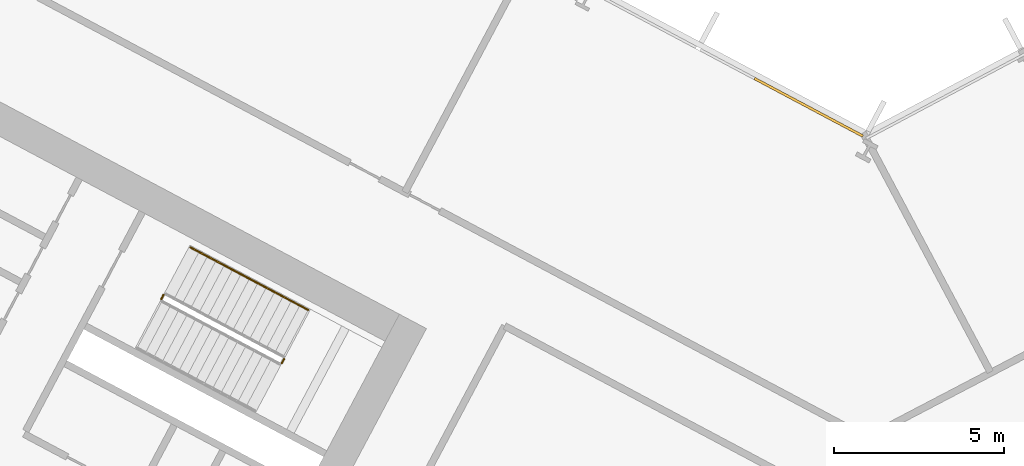
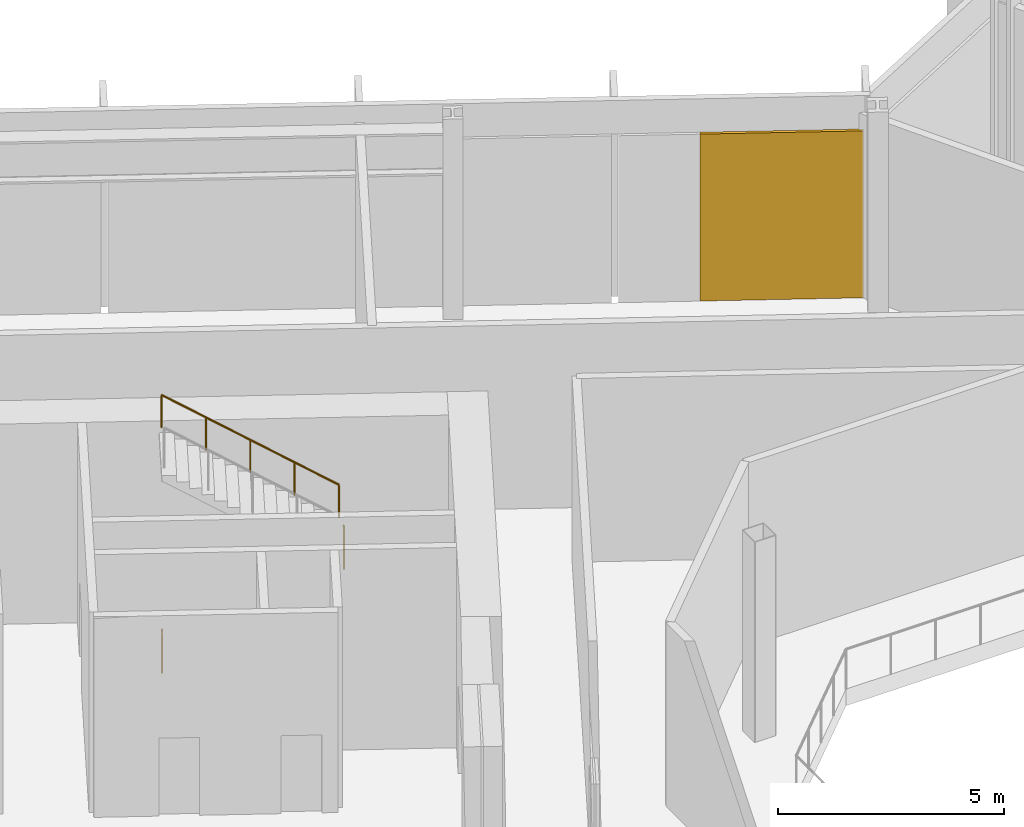
# One storey, part 25 of 31: 3 railings, 1 covering, 1 element without a shape of its own.
"""IFC4 building model written with IfcOpenShell, lengths in metres."""

from ifc_helpers import new_model, si_unit, direction, frame, origin, origin_2d, place, context, subcontext, project, spatial, polyline, rectangle, outline, extrude, material, layer, layer_set, type_object, element, aggregate, save


model = new_model("IFC4")

# Units and contexts
model_context = context("Model", 3, precision=1e-05, world=origin(), true_north=direction((0.0, 1.0)))
body_context = subcontext(model_context, "Body", "Model", "MODEL_VIEW")
ifc_project = project(units=[si_unit("LENGTHUNIT", "METRE"), si_unit("AREAUNIT", "SQUARE_METRE"), si_unit("VOLUMEUNIT", "CUBIC_METRE"), si_unit("PLANEANGLEUNIT", "RADIAN"), si_unit("MASSUNIT", "GRAM", prefix="KILO")], contexts=[model_context])

# Site, building, storey
site_placement = place(None, origin())
site = spatial("IfcSite", under=ifc_project, at=site_placement, CompositionType="ELEMENT")
building_placement = place(site_placement, origin())
building = spatial("IfcBuilding", under=site, at=building_placement, Name="Cormorant Relay Tower", CompositionType="ELEMENT")
storey_placement = place(building_placement, frame((0.0, 0.0, 23.0)))
storey = spatial("IfcBuildingStorey", under=building, at=storey_placement, Name="L04", CompositionType="ELEMENT", Elevation=23.0)

# Curtain wall, covering
ifc_material_1 = material(Name="Aluminium 6063-T6 anodised bronze", Category="aluminium")
ifc_layer_1 = layer(ifc_material_1, 0.235107421875)
ifc_layer_set_1 = layer_set([ifc_layer_1], Name="CW6 data hall curtain wall with mineral wool panels")
curtain_wall_type = type_object("IfcCurtainWallType", Name="CW6 data hall curtain wall with mineral wool panels", PredefinedType="NOTDEFINED", material=ifc_layer_set_1)
curtain_wall_placement = place(storey_placement, origin())
curtain_wall = element("IfcCurtainWall", 1, at=curtain_wall_placement, inside=storey, type_object=curtain_wall_type, Name="CW6 curtain wall 7", PredefinedType="NOTDEFINED")
ifc_material_2 = material(Name="Mineral wool cored anodised bronze aluminium cassette panel", Category="aluminium")
ifc_layer_2 = layer(ifc_material_2, 0.074951171875)
ifc_layer_set_2 = layer_set([ifc_layer_2], Name="CW6 mineral wool cassette panel 75")
covering_type = type_object("IfcCoveringType", Name="CW6 mineral wool cassette panel 75", PredefinedType="CLADDING", material=ifc_layer_set_2)
covering_placement = place(storey_placement, frame((-1.710205078125, 24.73583984375, 0.0), z_axis=(0.0, 0.0, 1.0), x_axis=(-0.882947592859, 0.469471562786, 0.0)))
covering = element("IfcCovering", 2, at=covering_placement, type_object=covering_type, Name="CW6 panel S00", PredefinedType="CLADDING", context=body_context, shape_type="SweptSolid", body=[
    extrude(rectangle(XDim=3.614013671875, YDim=0.074951171875, at=origin_2d()), origin(), (0.0, 0.0, 1.0), 4.5),
])
aggregate(curtain_wall, [covering])

# Railings
ifc_material_3 = material(Name="Steel ASTM A572 Grade 50 (Fy 345 MPa)", Category="steel")
railing_type_1 = type_object("IfcRailingType", Name="Stair guard 1100", PredefinedType="GUARDRAIL", material=ifc_material_3)
railing_1_placement = place(storey_placement, frame((-17.2216796875, 17.1982421875, 2.699951171875)))
element("IfcRailing", 3, at=railing_1_placement, inside=storey, type_object=railing_type_1, Name="L04 A1 stair guard 2", PredefinedType="GUARDRAIL", context=body_context, shape_type="SweptSolid", body=[
    extrude(outline(polyline([(0.022216796875, 0.00927734375), (0.00927734375, 0.022216796875), (-0.00927734375, 0.022216796875), (-0.022216796875, 0.00927734375), (-0.022216796875, -0.00927734375), (-0.00927734375, -0.022216796875), (0.00927734375, -0.022216796875), (0.022216796875, -0.00927734375), (0.022216796875, 0.00927734375)])), frame((0.0, 0.0, 1.076171875), z_axis=(0.469234640946, 0.883073525669, 0.0), x_axis=(-0.883073525669, 0.469234640946, 0.0)), (0.0, 0.0, 1.0), 0.14990234375),
    extrude(outline(polyline([(0.019287109375, 0.008056640625), (0.008056640625, 0.019287109375), (-0.008056640625, 0.019287109375), (-0.019287109375, 0.008056640625), (-0.019287109375, -0.008056640625), (-0.008056640625, -0.019287109375), (0.008056640625, -0.019287109375), (0.019287109375, -0.008056640625), (0.019287109375, 0.008056640625)])), origin(), (0.0, 0.0, 1.0), 1.052001953125),
    extrude(outline(polyline([(0.019287109375, 0.008056640625), (0.008056640625, 0.019287109375), (-0.008056640625, 0.019287109375), (-0.019287109375, 0.008056640625), (-0.019287109375, -0.008056640625), (-0.008056640625, -0.019287109375), (0.008056640625, -0.019287109375), (0.019287109375, -0.008056640625), (0.019287109375, 0.008056640625)])), frame((0.0703125, 0.13232421875, 0.0)), (0.0, 0.0, 1.0), 1.052001953125),
])
railing_2_placement = place(storey_placement, frame((-20.771240234375, 19.08544921875, 0.0)))
element("IfcRailing", 4, at=railing_2_placement, inside=storey, type_object=railing_type_1, Name="L04 A1 stair guard 4", PredefinedType="GUARDRAIL", context=body_context, shape_type="SweptSolid", body=[
    extrude(outline(polyline([(0.022216796875, 0.00927734375), (0.00927734375, 0.022216796875), (-0.00927734375, 0.022216796875), (-0.022216796875, 0.00927734375), (-0.022216796875, -0.00927734375), (-0.00927734375, -0.022216796875), (0.00927734375, -0.022216796875), (0.022216796875, -0.00927734375), (0.022216796875, 0.00927734375)])), frame((0.0, 0.0, 1.076171875), z_axis=(0.469828648786, 0.882757634224, 0.0), x_axis=(-0.882757634224, 0.469828648786, 0.0)), (0.0, 0.0, 1.0), 0.150146484375),
    extrude(outline(polyline([(0.019287109375, 0.008056640625), (0.008056640625, 0.019287109375), (-0.008056640625, 0.019287109375), (-0.019287109375, 0.008056640625), (-0.019287109375, -0.008056640625), (-0.008056640625, -0.019287109375), (0.008056640625, -0.019287109375), (0.019287109375, -0.008056640625), (0.019287109375, 0.008056640625)])), origin(), (0.0, 0.0, 1.0), 1.052001953125),
    extrude(outline(polyline([(0.019287109375, 0.008056640625), (0.008056640625, 0.019287109375), (-0.008056640625, 0.019287109375), (-0.019287109375, 0.008056640625), (-0.019287109375, -0.008056640625), (-0.008056640625, -0.019287109375), (0.008056640625, -0.019287109375), (0.019287109375, -0.008056640625), (0.019287109375, 0.008056640625)])), frame((0.070556640625, 0.132568359375, 0.0)), (0.0, 0.0, 1.0), 1.052001953125),
])
ifc_material_4 = material(Name="Steel ASTM A572 Grade 50 (Fy 345 MPa)", Category="steel")
railing_type_2 = type_object("IfcRailingType", Name="Stair handrail 900", PredefinedType="HANDRAIL", material=ifc_material_4)
railing_3_placement = place(storey_placement, frame((-16.4443359375, 18.766845703125, 2.8798828125)))
element("IfcRailing", 5, at=railing_3_placement, inside=storey, type_object=railing_type_2, Name="L04 A1 stair handrail 2", PredefinedType="HANDRAIL", context=body_context, shape_type="SweptSolid", body=[
    extrude(outline(polyline([(0.022216796875, 0.00927734375), (0.00927734375, 0.022216796875), (-0.00927734375, 0.022216796875), (-0.022216796875, 0.00927734375), (-0.022216796875, -0.00927734375), (-0.00927734375, -0.022216796875), (0.00927734375, -0.022216796875), (0.022216796875, -0.00927734375), (0.022216796875, 0.00927734375)])), frame((0.0, 0.0, 0.8759765625), z_axis=(-0.74271721126, 0.394907409077, 0.540758062681), x_axis=(-0.469469396681, -0.882948744594, 0.0)), (0.0, 0.0, 1.0), 4.66015625),
    extrude(outline(polyline([(0.019287109375, 0.008056640625), (0.008056640625, 0.019287109375), (-0.008056640625, 0.019287109375), (-0.019287109375, 0.008056640625), (-0.019287109375, -0.008056640625), (-0.008056640625, -0.019287109375), (0.008056640625, -0.019287109375), (0.019287109375, -0.008056640625), (0.019287109375, 0.008056640625)])), origin(), (0.0, 0.0, 1.0), 0.851806640625),
    extrude(outline(polyline([(0.019287109375, 0.008056640625), (0.008056640625, 0.019287109375), (-0.008056640625, 0.019287109375), (-0.019287109375, 0.008056640625), (-0.019287109375, -0.008056640625), (-0.008056640625, -0.019287109375), (0.008056640625, -0.019287109375), (0.019287109375, -0.008056640625), (0.019287109375, 0.008056640625)])), frame((-0.865234375, 0.4599609375, 0.6298828125)), (0.0, 0.0, 1.0), 0.851806640625),
    extrude(outline(polyline([(0.019287109375, 0.008056640625), (0.008056640625, 0.019287109375), (-0.008056640625, 0.019287109375), (-0.019287109375, 0.008056640625), (-0.019287109375, -0.008056640625), (-0.008056640625, -0.019287109375), (0.008056640625, -0.019287109375), (0.019287109375, -0.008056640625), (0.019287109375, 0.008056640625)])), frame((-1.73046875, 0.920166015625, 1.260009765625)), (0.0, 0.0, 1.0), 0.851806640625),
    extrude(outline(polyline([(0.019287109375, 0.008056640625), (0.008056640625, 0.019287109375), (-0.008056640625, 0.019287109375), (-0.019287109375, 0.008056640625), (-0.019287109375, -0.008056640625), (-0.008056640625, -0.019287109375), (0.008056640625, -0.019287109375), (0.019287109375, -0.008056640625), (0.019287109375, 0.008056640625)])), frame((-2.595947265625, 1.38037109375, 1.89013671875)), (0.0, 0.0, 1.0), 0.851806640625),
    extrude(outline(polyline([(0.019287109375, 0.008056640625), (0.008056640625, 0.019287109375), (-0.008056640625, 0.019287109375), (-0.019287109375, 0.008056640625), (-0.019287109375, -0.008056640625), (-0.008056640625, -0.019287109375), (0.008056640625, -0.019287109375), (0.019287109375, -0.008056640625), (0.019287109375, 0.008056640625)])), frame((-3.461181640625, 1.84033203125, 2.52001953125)), (0.0, 0.0, 1.0), 0.851806640625),
])

save(model, "model.ifc")
